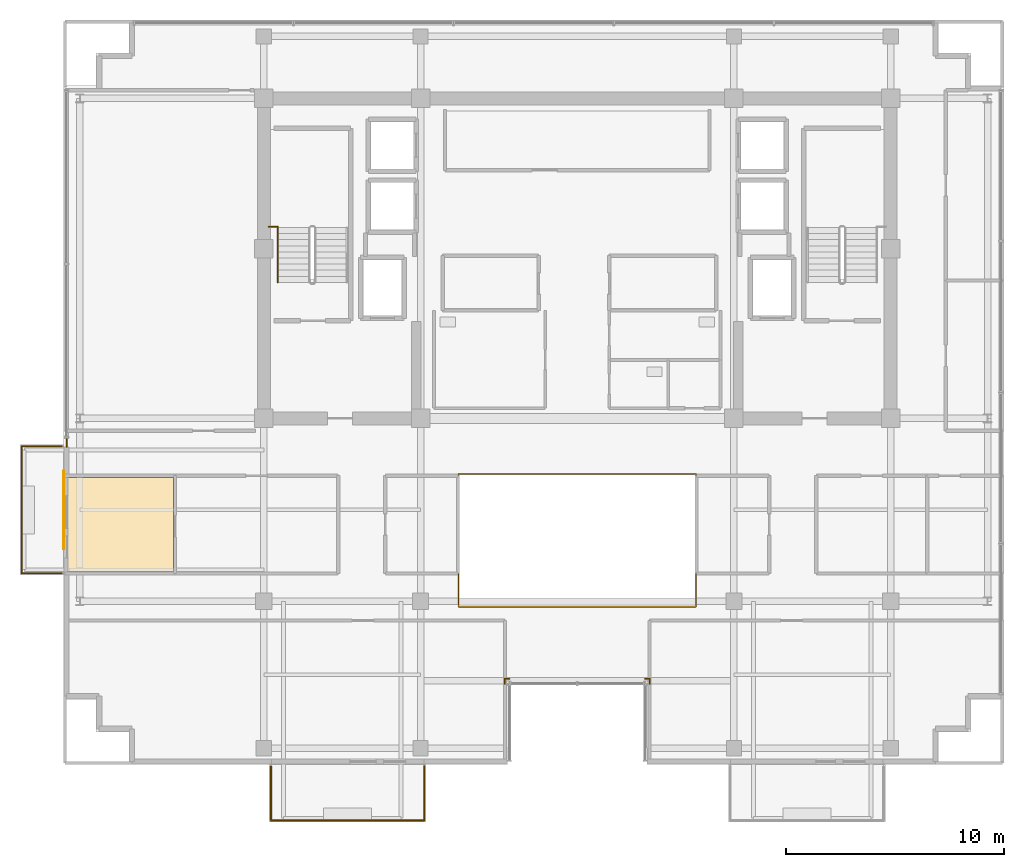
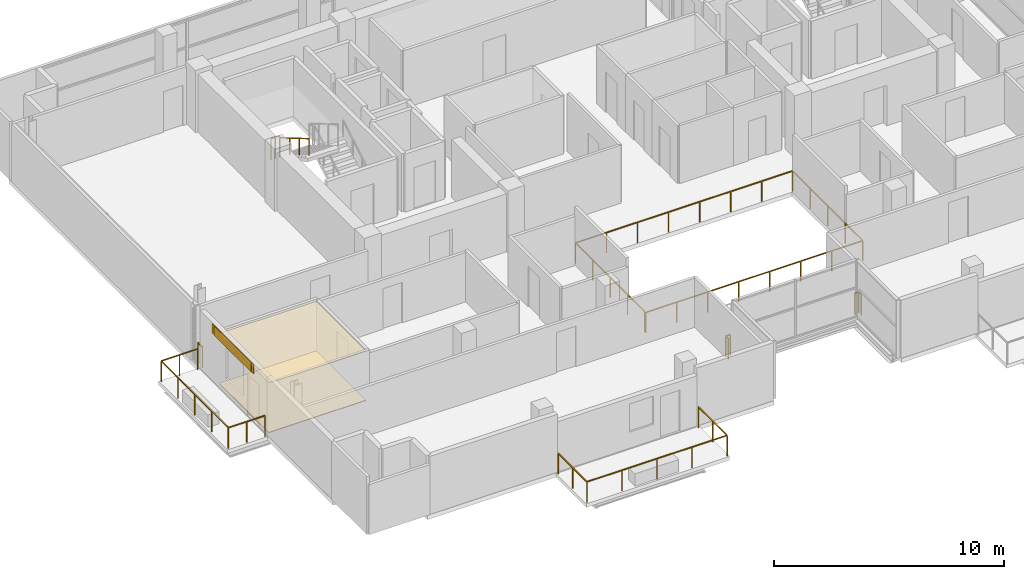
# One storey, part 19 of 22: 10 railings, 3 coverings, 1 shading device.
"""IFC4 building model written with IfcOpenShell, lengths in metres."""

import ifcopenshell
import ifcopenshell.guid

model = None  # the IFC model being written
_history = None  # IfcOwnerHistory: only IFC2X3 demands one
_inside = {}  # id of a spatial element -> (the spatial element, [elements in it])
_under = {}  # id of a project, library or spatial element -> (it, [spatial elements below it])
_declared = {}  # id of a project -> (the project, [libraries it declares])
_typed = {}  # id of a type object -> (the type object, [elements of that type])
_made_of = {}  # id of a material, layer set ... -> (it, [elements and type objects made of it])


def new_model(schema):
    """Start an empty IFC model of exactly this schema.

    Asked for "IFC4X3", IfcOpenShell would pick the latest addendum, in which some entities
    have other attributes; the version numbers below select the first issue.
    IFC2X3 requires an IfcOwnerHistory on every rooted entity: one is made here for all.
    """
    global model, _history
    if schema == "IFC4X3":
        model = ifcopenshell.file(schema_version=(4, 3, 0, 0))
    else:
        model = ifcopenshell.file(schema=schema)
    _inside.clear()
    _under.clear()
    _declared.clear()
    _typed.clear()
    _made_of.clear()
    _history = None
    if model.schema == "IFC2X3":
        org = make("IfcOrganization", Name="unknown")
        user = make(
            "IfcPersonAndOrganization",
            ThePerson=make("IfcPerson", FamilyName="unknown"),
            TheOrganization=org,
        )
        app = make(
            "IfcApplication",
            ApplicationDeveloper=org,
            Version="unknown",
            ApplicationFullName="unknown",
            ApplicationIdentifier="unknown",
        )
        _history = make(
            "IfcOwnerHistory",
            OwningUser=user,
            OwningApplication=app,
            ChangeAction="ADDED",
            CreationDate=0,
        )
    return model


def make(cls, **values):
    """One entity of the class cls with the attributes given. An attribute that is None is left unset."""
    return model.create_entity(
        cls, **{name: value for name, value in values.items() if value is not None}
    )


def rooted(cls, **values):
    """An entity with a GlobalId (a new one), such as an element, a storey or a relation."""
    return make(cls, GlobalId=ifcopenshell.guid.new(), OwnerHistory=_history, **values)


def si_unit(unit_type, name, prefix=None):
    """IfcSIUnit, for example si_unit("LENGTHUNIT", "METRE", prefix="MILLI")."""
    return make("IfcSIUnit", UnitType=unit_type, Prefix=prefix, Name=name)


def assignment(units):
    """IfcUnitAssignment: the units of a project."""
    return None if units is None else make("IfcUnitAssignment", Units=units)


def point(xyz):
    """IfcCartesianPoint."""
    return None if xyz is None else make("IfcCartesianPoint", Coordinates=xyz)


def direction(xyz):
    """IfcDirection."""
    return None if xyz is None else make("IfcDirection", DirectionRatios=xyz)


def frame(location, z_axis=None, x_axis=None):
    """IfcAxis2Placement3D, a coordinate frame: its origin and axes. An axis left out is left unset."""
    return make(
        "IfcAxis2Placement3D",
        Location=point(location),
        Axis=direction(z_axis),
        RefDirection=direction(x_axis),
    )


def frame_2d(location, x_axis=None):
    """IfcAxis2Placement2D, a coordinate frame in the plane: its origin and x axis."""
    return make(
        "IfcAxis2Placement2D", Location=point(location), RefDirection=direction(x_axis)
    )


def origin():
    """The frame at (0, 0, 0) with its axes left unset."""
    return frame((0.0, 0.0, 0.0))


def origin_2d():
    """The frame at (0, 0) in the plane with its x axis left unset."""
    return frame_2d((0.0, 0.0))


def place(relative_to, where):
    """IfcLocalPlacement: puts the frame where relative to a parent placement (None: the world)."""
    return make(
        "IfcLocalPlacement", PlacementRelTo=relative_to, RelativePlacement=where
    )


def context(
    kind, dimensions, precision=None, world=None, true_north=None, identifier=None
):
    """IfcGeometricRepresentationContext, for example the 3D "Model" context."""
    return make(
        "IfcGeometricRepresentationContext",
        ContextIdentifier=identifier,
        ContextType=kind,
        CoordinateSpaceDimension=dimensions,
        Precision=precision,
        WorldCoordinateSystem=world,
        TrueNorth=true_north,
    )


def subcontext(parent, identifier, kind, view, scale=None):
    """IfcGeometricRepresentationSubContext, for example "Body" below "Model"."""
    return make(
        "IfcGeometricRepresentationSubContext",
        ContextIdentifier=identifier,
        ContextType=kind,
        ParentContext=parent,
        TargetScale=scale,
        TargetView=view,
    )


def project(units=None, contexts=None):
    """IfcProject with its units and contexts."""
    return rooted(
        "IfcProject",
        Name="project",
        RepresentationContexts=contexts,
        UnitsInContext=assignment(units),
    )


def spatial(cls, under=None, at=None, **own):
    """A site, building, storey or space (cls), placed at a placement, below another one or the project."""
    s = rooted(cls, ObjectPlacement=at, **own)
    if under is not None:
        _under.setdefault(under.id(), (under, []))[1].append(s)
    return s


def polyline(points):
    """IfcPolyline through the points."""
    return make("IfcPolyline", Points=[point(p) for p in points])


def profile(cls, at=None, kind="AREA", **sizes):
    """A parametric profile (cls). Its sizes go by their IFC names, for example OverallWidth=200.0."""
    return make(cls, ProfileType=kind, Position=at, **sizes)


def rectangle(**sizes):
    """IfcRectangleProfileDef."""
    return profile("IfcRectangleProfileDef", **sizes)


def outline(outer, holes=None, kind="AREA"):
    """IfcArbitraryClosedProfileDef: a profile drawn as a closed curve; with holes, ...WithVoids."""
    if holes is None:
        return make("IfcArbitraryClosedProfileDef", ProfileType=kind, OuterCurve=outer)
    return make(
        "IfcArbitraryProfileDefWithVoids",
        ProfileType=kind,
        OuterCurve=outer,
        InnerCurves=holes,
    )


def extrude(swept, where, along, depth):
    """IfcExtrudedAreaSolid: the profile swept, set in the frame where, extruded along a direction by depth."""
    return make(
        "IfcExtrudedAreaSolid",
        SweptArea=swept,
        Position=where,
        ExtrudedDirection=direction(along),
        Depth=depth,
    )


def shape(context_of_items, identifier, shape_type, items):
    """IfcShapeRepresentation: the items that make up one representation, for example the "Body"."""
    return make(
        "IfcShapeRepresentation",
        ContextOfItems=context_of_items,
        RepresentationIdentifier=identifier,
        RepresentationType=shape_type,
        Items=items,
    )


def source(mapping_origin, context_of_items, identifier, shape_type, items):
    """IfcRepresentationMap: a shape defined once, which mapped items show again and again."""
    return make(
        "IfcRepresentationMap",
        MappingOrigin=mapping_origin,
        MappedRepresentation=shape(context_of_items, identifier, shape_type, items),
    )


def transform(
    local_origin,
    x_axis=None,
    y_axis=None,
    z_axis=None,
    scale=None,
    scale2=None,
    scale3=None,
    uniform=True,
):
    """IfcCartesianTransformationOperator3D, or its non-uniform kind. x_axis, y_axis, z_axis: its Axis1, 2, 3."""
    if uniform:
        return make(
            "IfcCartesianTransformationOperator3D",
            Axis1=direction(x_axis),
            Axis2=direction(y_axis),
            LocalOrigin=point(local_origin),
            Scale=scale,
            Axis3=direction(z_axis),
        )
    return make(
        "IfcCartesianTransformationOperator3DnonUniform",
        Axis1=direction(x_axis),
        Axis2=direction(y_axis),
        LocalOrigin=point(local_origin),
        Scale=scale,
        Axis3=direction(z_axis),
        Scale2=scale2,
        Scale3=scale3,
    )


def mapped(mapping_source, mapping_target):
    """IfcMappedItem: shows the shape of a source again, moved by a transform."""
    return make(
        "IfcMappedItem", MappingSource=mapping_source, MappingTarget=mapping_target
    )


def material(Name=None, Category=None):
    """IfcMaterial."""
    return make("IfcMaterial", Name=Name, Category=Category)


def layer(
    of_material, thickness, ventilated=None, Name=None, Category=None, Priority=None
):
    """IfcMaterialLayer: one layer of a wall or slab, of a material (None: an air gap)."""
    return make(
        "IfcMaterialLayer",
        Material=of_material,
        LayerThickness=thickness,
        IsVentilated=ventilated,
        Name=Name,
        Category=Category,
        Priority=Priority,
    )


def layer_set(layers, Name=None):
    """IfcMaterialLayerSet."""
    return make("IfcMaterialLayerSet", MaterialLayers=layers, LayerSetName=Name)


def made_of(thing, what):
    """Note that an element or type object is made of a material, layer set ...; save() writes the relation."""
    if what is not None:
        _made_of.setdefault(what.id(), (what, []))[1].append(thing)
    return thing


def type_object(cls, material=None, **own):
    """A type object (cls), such as IfcWallType, which elements share."""
    return made_of(rooted(cls, **own), material)


def element(
    cls,
    number,
    at=None,
    inside=None,
    cuts=None,
    type_object=None,
    material=None,
    context=None,
    identifier="Body",
    shape_type=None,
    held_by="IfcProductDefinitionShape",
    body=None,
    shapes=None,
    **own,
):
    """One element of the class cls, such as IfcWall. Its Tag is "e" and its number.

    at: its placement. inside: the storey or other place that contains it. cuts: it is an
    opening in that element (IfcRelVoidsElement). A single representation is given by context,
    identifier, shape_type and body (its items); several are given by shapes. held_by: the class
    of the entity that holds the representations. save() writes the other relations.
    """
    e = rooted(cls, Tag="e%d" % number, ObjectPlacement=at, **own)
    if body is not None:
        shapes = [shape(context, identifier, shape_type, body)]
    if shapes is not None:
        e.Representation = make(held_by, Representations=shapes)
    if inside is not None:
        _inside.setdefault(inside.id(), (inside, []))[1].append(e)
    if cuts is not None:
        rooted(
            "IfcRelVoidsElement", RelatingBuildingElement=cuts, RelatedOpeningElement=e
        )
    if type_object is not None:
        _typed.setdefault(type_object.id(), (type_object, []))[1].append(e)
    return made_of(e, material)


def aggregate(whole, parts):
    """IfcRelAggregates: a whole, such as a stair, and the parts it consists of."""
    return rooted("IfcRelAggregates", RelatingObject=whole, RelatedObjects=parts)


def save(model, path):
    """Write the relations noted so far, then the file.

    IfcRelAggregates (storeys below a building ...), IfcRelContainedInSpatialStructure (elements
    in a storey), IfcRelDefinesByType, IfcRelAssociatesMaterial and IfcRelDeclares: one each for
    every whole, place, type object, material and project.
    """
    for whole, parts in _under.values():
        aggregate(whole, parts)
    for where, things in _inside.values():
        rooted(
            "IfcRelContainedInSpatialStructure",
            RelatedElements=things,
            RelatingStructure=where,
        )
    for kind, things in _typed.values():
        rooted("IfcRelDefinesByType", RelatedObjects=things, RelatingType=kind)
    for what, things in _made_of.values():
        rooted("IfcRelAssociatesMaterial", RelatedObjects=things, RelatingMaterial=what)
    for by, libraries in _declared.values():
        rooted("IfcRelDeclares", RelatingContext=by, RelatedDefinitions=libraries)
    model.write(path)


model = new_model("IFC4")

# Units and contexts
model_context = context("Model", 3, precision=1e-05, world=origin(), true_north=direction((0.0, 1.0)))
body_context = subcontext(model_context, "Body", "Model", "MODEL_VIEW")
ifc_project = project(units=[si_unit("LENGTHUNIT", "METRE"), si_unit("AREAUNIT", "SQUARE_METRE"), si_unit("VOLUMEUNIT", "CUBIC_METRE"), si_unit("PLANEANGLEUNIT", "RADIAN"), si_unit("MASSUNIT", "GRAM", prefix="KILO")], contexts=[model_context])

# Site, building, storey
site_placement = place(None, origin())
site = spatial("IfcSite", under=ifc_project, at=site_placement, CompositionType="ELEMENT")
building_placement = place(site_placement, origin())
building = spatial("IfcBuilding", under=site, at=building_placement, Name="Zarnakvel Exchange Tower", CompositionType="ELEMENT")
storey_placement = place(building_placement, frame((0.0, 0.0, 215.5)))
storey = spatial("IfcBuildingStorey", under=building, at=storey_placement, Name="L60", CompositionType="ELEMENT", Elevation=215.5)

# Coverings
ifc_material_1 = material(Name="Perforated Bronze Acoustic Metal Ceiling", Category="aluminium")
ifc_layer_1 = layer(ifc_material_1, 0.02001953125)
ifc_layer_set_1 = layer_set([ifc_layer_1], Name="Perforated Bronze Acoustic Metal Ceiling")
covering_type_1 = type_object("IfcCoveringType", Name="CLG-01", PredefinedType="CEILING", material=ifc_layer_set_1)
covering_1_placement = place(storey_placement, frame((0.0, 0.0, 2.64501953125)))
element("IfcCovering", 1, at=covering_1_placement, inside=storey, type_object=covering_type_1, Name="L60 Suspended Acoustic Ceiling (Institutional Dealing Room)", PredefinedType="CEILING", context=body_context, shape_type="SweptSolid", body=[
    extrude(outline(polyline([(-23.449951171875, -3.909912109375), (-18.55810546875, -3.909912109375), (-18.55810546875, -8.239990234375), (-23.449951171875, -8.239990234375), (-23.449951171875, -3.909912109375)])), origin(), (0.0, 0.0, 1.0), 0.02001953125),
])
ifc_material_2 = material(Name="Heavy-Duty Raised Access Floor Panel", Category="steel")
ifc_layer_2 = layer(ifc_material_2, 0.034912109375)
ifc_layer_set_2 = layer_set([ifc_layer_2], Name="Heavy-Duty Raised Access Floor Panel")
covering_type_2 = type_object("IfcCoveringType", Name="FLR-02", PredefinedType="FLOORING", material=ifc_layer_set_2)
covering_2_placement = place(storey_placement, origin())
element("IfcCovering", 2, at=covering_2_placement, inside=storey, type_object=covering_type_2, Name="L60 Floor Finish (Institutional Dealing Room)", PredefinedType="FLOORING", context=body_context, shape_type="SweptSolid", body=[
    extrude(outline(polyline([(-23.449951171875, -3.909912109375), (-18.55810546875, -3.909912109375), (-18.55810546875, -8.239990234375), (-23.449951171875, -8.239990234375), (-23.449951171875, -3.909912109375)])), origin(), (0.0, 0.0, 1.0), 0.034912109375),
])

# Railings
ifc_material_3 = material(Name="Architectural Bronze Anodised Aluminium", Category="aluminium")
railing_type_1 = type_object("IfcRailingType", Name="GR-02", PredefinedType="GUARDRAIL", material=ifc_material_3)
railing_1_placement = place(storey_placement, frame((-14.070068359375, -17.179931640625, -0.034912109375)))
element("IfcRailing", 3, at=railing_1_placement, inside=storey, type_object=railing_type_1, Name="L60 Balcony Guardrail BAL-L60-SW", PredefinedType="GUARDRAIL", context=body_context, shape_type="SweptSolid", body=[
    extrude(rectangle(XDim=0.048095703125, YDim=0.048095703125, at=origin_2d()), frame((0.0, 0.0, 1.09619140625), z_axis=(0.0, -1.0, 0.0), x_axis=(1.0, 0.0, 0.0)), (0.0, 0.0, 1.0), 2.489990234375),
    extrude(rectangle(XDim=0.048095703125, YDim=0.048095703125, at=origin_2d()), frame((0.0, -2.489990234375, 1.09619140625), z_axis=(1.0, 0.0, 0.0), x_axis=(0.0, 1.0, 0.0)), (0.0, 0.0, 1.0), 7.0400390625),
    extrude(rectangle(XDim=0.048095703125, YDim=0.048095703125, at=origin_2d()), frame((7.0400390625, -2.489990234375, 1.09619140625), z_axis=(0.0, 1.0, 0.0), x_axis=(-1.0, 0.0, 0.0)), (0.0, 0.0, 1.0), 2.489990234375),
    extrude(rectangle(XDim=0.0419921875, YDim=0.0419921875, at=origin_2d()), origin(), (0.0, 0.0, 1.0), 1.072021484375),
    extrude(rectangle(XDim=0.0419921875, YDim=0.0419921875, at=origin_2d()), frame((0.0, -1.2451171875, 0.0)), (0.0, 0.0, 1.0), 1.072021484375),
    extrude(rectangle(XDim=0.0419921875, YDim=0.0419921875, at=origin_2d()), frame((0.0, -2.489990234375, 0.0)), (0.0, 0.0, 1.0), 1.072021484375),
    extrude(rectangle(XDim=0.0419921875, YDim=0.0419921875, at=origin_2d()), frame((1.760009765625, -2.489990234375, 0.0)), (0.0, 0.0, 1.0), 1.072021484375),
    extrude(rectangle(XDim=0.0419921875, YDim=0.0419921875, at=origin_2d()), frame((3.52001953125, -2.489990234375, 0.0)), (0.0, 0.0, 1.0), 1.072021484375),
    extrude(rectangle(XDim=0.0419921875, YDim=0.0419921875, at=origin_2d()), frame((5.280029296875, -2.489990234375, 0.0)), (0.0, 0.0, 1.0), 1.072021484375),
    extrude(rectangle(XDim=0.0419921875, YDim=0.0419921875, at=origin_2d()), frame((7.0400390625, -2.489990234375, 0.0)), (0.0, 0.0, 1.0), 1.072021484375),
    extrude(rectangle(XDim=0.0419921875, YDim=0.0419921875, at=origin_2d()), frame((7.0400390625, -1.2451171875, 0.0)), (0.0, 0.0, 1.0), 1.072021484375),
    extrude(rectangle(XDim=0.0419921875, YDim=0.0419921875, at=origin_2d()), frame((7.0400390625, 0.0, 0.0)), (0.0, 0.0, 1.0), 1.072021484375),
])
railing_2_placement = place(storey_placement, frame((-23.679931640625, -8.320068359375, -0.034912109375)))
element("IfcRailing", 4, at=railing_2_placement, inside=storey, type_object=railing_type_1, Name="L60 Balcony Guardrail BAL-L60-W", PredefinedType="GUARDRAIL", context=body_context, shape_type="SweptSolid", body=[
    extrude(rectangle(XDim=0.048095703125, YDim=0.048095703125, at=origin_2d()), frame((0.0, 0.0, 1.09619140625), z_axis=(-1.0, 0.0, 0.0), x_axis=(0.0, -1.0, 0.0)), (0.0, 0.0, 1.0), 1.840087890625),
    extrude(rectangle(XDim=0.048095703125, YDim=0.048095703125, at=origin_2d()), frame((-1.840087890625, 0.0, 1.09619140625), z_axis=(0.0, 1.0, 0.0), x_axis=(-1.0, 0.0, 0.0)), (0.0, 0.0, 1.0), 5.840087890625),
    extrude(rectangle(XDim=0.048095703125, YDim=0.048095703125, at=origin_2d()), frame((-1.840087890625, 5.840087890625, 1.09619140625), z_axis=(1.0, 0.0, 0.0), x_axis=(0.0, 1.0, 0.0)), (0.0, 0.0, 1.0), 1.840087890625),
    extrude(rectangle(XDim=0.0419921875, YDim=0.0419921875, at=origin_2d()), origin(), (0.0, 0.0, 1.0), 1.072021484375),
    extrude(rectangle(XDim=0.0419921875, YDim=0.0419921875, at=origin_2d()), frame((-0.919921875, 0.0, 0.0)), (0.0, 0.0, 1.0), 1.072021484375),
    extrude(rectangle(XDim=0.0419921875, YDim=0.0419921875, at=origin_2d()), frame((-1.840087890625, 0.0, 0.0)), (0.0, 0.0, 1.0), 1.072021484375),
    extrude(rectangle(XDim=0.0419921875, YDim=0.0419921875, at=origin_2d()), frame((-1.840087890625, 1.4599609375, 0.0)), (0.0, 0.0, 1.0), 1.072021484375),
    extrude(rectangle(XDim=0.0419921875, YDim=0.0419921875, at=origin_2d()), frame((-1.840087890625, 2.919921875, 0.0)), (0.0, 0.0, 1.0), 1.072021484375),
    extrude(rectangle(XDim=0.0419921875, YDim=0.0419921875, at=origin_2d()), frame((-1.840087890625, 4.380126953125, 0.0)), (0.0, 0.0, 1.0), 1.072021484375),
    extrude(rectangle(XDim=0.0419921875, YDim=0.0419921875, at=origin_2d()), frame((-1.840087890625, 5.840087890625, 0.0)), (0.0, 0.0, 1.0), 1.072021484375),
    extrude(rectangle(XDim=0.0419921875, YDim=0.0419921875, at=origin_2d()), frame((-0.919921875, 5.840087890625, 0.0)), (0.0, 0.0, 1.0), 1.072021484375),
    extrude(rectangle(XDim=0.0419921875, YDim=0.0419921875, at=origin_2d()), frame((0.0, 5.840087890625, 0.0)), (0.0, 0.0, 1.0), 1.072021484375),
])
railing_3_placement = place(storey_placement, frame((-23.4599609375, -2.5, 0.0)))
element("IfcRailing", 5, at=railing_3_placement, inside=storey, type_object=railing_type_1, Name="L60 Corner Spandrel Balustrade #2", PredefinedType="GUARDRAIL", context=body_context, shape_type="SweptSolid", body=[
    extrude(rectangle(XDim=0.048095703125, YDim=0.048095703125, at=origin_2d()), frame((0.0, 0.0, 1.09619140625), z_axis=(0.0, 1.0, 0.0), x_axis=(-1.0, 0.0, 0.0)), (0.0, 0.0, 1.0), 0.39990234375),
    extrude(rectangle(XDim=0.0419921875, YDim=0.0419921875, at=origin_2d()), origin(), (0.0, 0.0, 1.0), 1.072021484375),
    extrude(rectangle(XDim=0.0419921875, YDim=0.0419921875, at=origin_2d()), frame((0.0, 0.39990234375, 0.0)), (0.0, 0.0, 1.0), 1.072021484375),
])
railing_4_placement = place(storey_placement, frame((3.340087890625, -13.3798828125, 0.0)))
element("IfcRailing", 6, at=railing_4_placement, inside=storey, type_object=railing_type_1, Name="L60 Corner Spandrel Balustrade #17", PredefinedType="GUARDRAIL", context=body_context, shape_type="SweptSolid", body=[
    extrude(rectangle(XDim=0.048095703125, YDim=0.048095703125, at=origin_2d()), frame((0.0, 0.0, 1.09619140625), z_axis=(0.0, 1.0, 0.0), x_axis=(-1.0, 0.0, 0.0)), (0.0, 0.0, 1.0), 0.219970703125),
    extrude(rectangle(XDim=0.0419921875, YDim=0.0419921875, at=origin_2d()), origin(), (0.0, 0.0, 1.0), 1.072021484375),
    extrude(rectangle(XDim=0.0419921875, YDim=0.0419921875, at=origin_2d()), frame((0.0, 0.219970703125, 0.0)), (0.0, 0.0, 1.0), 1.072021484375),
])
for number, where, name in (
    (7, (3.340087890625, -13.159912109375, 0.0), "L60 Corner Spandrel Balustrade #18"),
    (8, (-3.1201171875, -13.159912109375, 0.0), "L60 Corner Spandrel Balustrade #19"),
):
    element("IfcRailing", number, at=place(storey_placement, frame(where)), inside=storey, type_object=railing_type_1, Name=name, PredefinedType="GUARDRAIL", context=body_context, shape_type="SweptSolid", body=[
        extrude(rectangle(XDim=0.048095703125, YDim=0.048095703125, at=origin_2d()), frame((0.0, 0.0, 1.09619140625), z_axis=(-1.0, 0.0, 0.0), x_axis=(0.0, -1.0, 0.0)), (0.0, 0.0, 1.0), 0.219970703125),
        extrude(rectangle(XDim=0.0419921875, YDim=0.0419921875, at=origin_2d()), origin(), (0.0, 0.0, 1.0), 1.072021484375),
        extrude(rectangle(XDim=0.0419921875, YDim=0.0419921875, at=origin_2d()), frame((-0.219970703125, 0.0, 0.0)), (0.0, 0.0, 1.0), 1.072021484375),
    ])
railing_5_placement = place(storey_placement, frame((-3.340087890625, -13.159912109375, 0.0)))
element("IfcRailing", 9, at=railing_5_placement, inside=storey, type_object=railing_type_1, Name="L60 Corner Spandrel Balustrade #20", PredefinedType="GUARDRAIL", context=body_context, shape_type="SweptSolid", body=[
    extrude(rectangle(XDim=0.048095703125, YDim=0.048095703125, at=origin_2d()), frame((0.0, 0.0, 1.09619140625), z_axis=(0.0, -1.0, 0.0), x_axis=(1.0, 0.0, 0.0)), (0.0, 0.0, 1.0), 0.219970703125),
    extrude(rectangle(XDim=0.0419921875, YDim=0.0419921875, at=origin_2d()), origin(), (0.0, 0.0, 1.0), 1.072021484375),
    extrude(rectangle(XDim=0.0419921875, YDim=0.0419921875, at=origin_2d()), frame((0.0, -0.219970703125, 0.0)), (0.0, 0.0, 1.0), 1.072021484375),
])
railing_type_2 = type_object("IfcRailingType", Name="GR-03", PredefinedType="GUARDRAIL", material=ifc_material_3)
railing_6_placement = place(storey_placement, frame((-5.449951171875, -9.85009765625, 0.0)))
element("IfcRailing", 10, at=railing_6_placement, inside=storey, type_object=railing_type_2, Name="L60 Atrium Void Perimeter Balustrade", PredefinedType="GUARDRAIL", context=body_context, shape_type="SweptSolid", body=[
    extrude(rectangle(XDim=0.048095703125, YDim=0.048095703125, at=origin_2d()), frame((0.0, 0.0, 1.076171875), z_axis=(1.0, 0.0, 0.0), x_axis=(0.0, 1.0, 0.0)), (0.0, 0.0, 1.0), 10.89990234375),
    extrude(rectangle(XDim=0.048095703125, YDim=0.048095703125, at=origin_2d()), frame((10.89990234375, 0.0, 1.076171875), z_axis=(0.0, 1.0, 0.0), x_axis=(-1.0, 0.0, 0.0)), (0.0, 0.0, 1.0), 6.10009765625),
    extrude(rectangle(XDim=0.048095703125, YDim=0.048095703125, at=origin_2d()), frame((10.89990234375, 6.10009765625, 1.076171875), z_axis=(-1.0, 0.0, 0.0), x_axis=(0.0, -1.0, 0.0)), (0.0, 0.0, 1.0), 10.89990234375),
    extrude(rectangle(XDim=0.048095703125, YDim=0.048095703125, at=origin_2d()), frame((0.0, 6.10009765625, 1.076171875), z_axis=(0.0, -1.0, 0.0), x_axis=(1.0, 0.0, 0.0)), (0.0, 0.0, 1.0), 6.02001953125),
    extrude(rectangle(XDim=0.0419921875, YDim=0.0419921875, at=origin_2d()), origin(), (0.0, 0.0, 1.0), 1.052001953125),
    extrude(rectangle(XDim=0.0419921875, YDim=0.0419921875, at=origin_2d()), frame((1.55712890625, 0.0, 0.0)), (0.0, 0.0, 1.0), 1.052001953125),
    extrude(rectangle(XDim=0.0419921875, YDim=0.0419921875, at=origin_2d()), frame((3.1142578125, 0.0, 0.0)), (0.0, 0.0, 1.0), 1.052001953125),
    extrude(rectangle(XDim=0.0419921875, YDim=0.0419921875, at=origin_2d()), frame((4.67138671875, 0.0, 0.0)), (0.0, 0.0, 1.0), 1.052001953125),
    extrude(rectangle(XDim=0.0419921875, YDim=0.0419921875, at=origin_2d()), frame((6.228515625, 0.0, 0.0)), (0.0, 0.0, 1.0), 1.052001953125),
    extrude(rectangle(XDim=0.0419921875, YDim=0.0419921875, at=origin_2d()), frame((7.78564453125, 0.0, 0.0)), (0.0, 0.0, 1.0), 1.052001953125),
    extrude(rectangle(XDim=0.0419921875, YDim=0.0419921875, at=origin_2d()), frame((9.3427734375, 0.0, 0.0)), (0.0, 0.0, 1.0), 1.052001953125),
    extrude(rectangle(XDim=0.0419921875, YDim=0.0419921875, at=origin_2d()), frame((10.89990234375, 0.0, 0.0)), (0.0, 0.0, 1.0), 1.052001953125),
    extrude(rectangle(XDim=0.0419921875, YDim=0.0419921875, at=origin_2d()), frame((10.89990234375, 1.52490234375, 0.0)), (0.0, 0.0, 1.0), 1.052001953125),
    extrude(rectangle(XDim=0.0419921875, YDim=0.0419921875, at=origin_2d()), frame((10.89990234375, 3.050048828125, 0.0)), (0.0, 0.0, 1.0), 1.052001953125),
    extrude(rectangle(XDim=0.0419921875, YDim=0.0419921875, at=origin_2d()), frame((10.89990234375, 4.5751953125, 0.0)), (0.0, 0.0, 1.0), 1.052001953125),
    extrude(rectangle(XDim=0.0419921875, YDim=0.0419921875, at=origin_2d()), frame((10.89990234375, 6.10009765625, 0.0)), (0.0, 0.0, 1.0), 1.052001953125),
    extrude(rectangle(XDim=0.0419921875, YDim=0.0419921875, at=origin_2d()), frame((9.3427734375, 6.10009765625, 0.0)), (0.0, 0.0, 1.0), 1.052001953125),
    extrude(rectangle(XDim=0.0419921875, YDim=0.0419921875, at=origin_2d()), frame((7.78564453125, 6.10009765625, 0.0)), (0.0, 0.0, 1.0), 1.052001953125),
    extrude(rectangle(XDim=0.0419921875, YDim=0.0419921875, at=origin_2d()), frame((6.228515625, 6.10009765625, 0.0)), (0.0, 0.0, 1.0), 1.052001953125),
    extrude(rectangle(XDim=0.0419921875, YDim=0.0419921875, at=origin_2d()), frame((4.67138671875, 6.10009765625, 0.0)), (0.0, 0.0, 1.0), 1.052001953125),
    extrude(rectangle(XDim=0.0419921875, YDim=0.0419921875, at=origin_2d()), frame((3.1142578125, 6.10009765625, 0.0)), (0.0, 0.0, 1.0), 1.052001953125),
    extrude(rectangle(XDim=0.0419921875, YDim=0.0419921875, at=origin_2d()), frame((1.55712890625, 6.10009765625, 0.0)), (0.0, 0.0, 1.0), 1.052001953125),
    extrude(rectangle(XDim=0.0419921875, YDim=0.0419921875, at=origin_2d()), frame((0.0, 6.10009765625, 0.0)), (0.0, 0.0, 1.0), 1.052001953125),
    extrude(rectangle(XDim=0.0419921875, YDim=0.0419921875, at=origin_2d()), frame((0.0, 4.59521484375, 0.0)), (0.0, 0.0, 1.0), 1.052001953125),
    extrude(rectangle(XDim=0.0419921875, YDim=0.0419921875, at=origin_2d()), frame((0.0, 3.090087890625, 0.0)), (0.0, 0.0, 1.0), 1.052001953125),
    extrude(rectangle(XDim=0.0419921875, YDim=0.0419921875, at=origin_2d()), frame((0.0, 1.5849609375, 0.0)), (0.0, 0.0, 1.0), 1.052001953125),
    extrude(rectangle(XDim=0.0419921875, YDim=0.0419921875, at=origin_2d()), frame((0.0, 0.080078125, 0.0)), (0.0, 0.0, 1.0), 1.052001953125),
])
ifc_material_4 = material(Name="Brushed Stainless Steel", Category="steel")
railing_type_3 = type_object("IfcRailingType", Name="HR-01", PredefinedType="HANDRAIL", material=ifc_material_4)
railing_7_placement = place(storey_placement, frame((-13.75, 7.570068359375, 1.81494140625)))
element("IfcRailing", 11, at=railing_7_placement, inside=storey, type_object=railing_type_3, Name="L60 ST-01 stair handrail 2", PredefinedType="HANDRAIL", context=body_context, shape_type="SweptSolid", body=[
    extrude(rectangle(XDim=0.048095703125, YDim=0.048095703125, at=origin_2d()), frame((0.0, 0.0, 0.8759765625), z_axis=(0.0, -0.86152411907, 0.507716645641), x_axis=(1.0, 0.0, 0.0)), (0.0, 0.0, 1.0), 2.925048828125),
    extrude(rectangle(XDim=0.0419921875, YDim=0.0419921875, at=origin_2d()), origin(), (0.0, 0.0, 1.0), 0.851806640625),
    extrude(rectangle(XDim=0.0419921875, YDim=0.0419921875, at=origin_2d()), frame((0.0, -0.840087890625, 0.4951171875)), (0.0, 0.0, 1.0), 0.851806640625),
    extrude(rectangle(XDim=0.0419921875, YDim=0.0419921875, at=origin_2d()), frame((0.0, -1.679931640625, 0.989990234375)), (0.0, 0.0, 1.0), 0.851806640625),
    extrude(rectangle(XDim=0.0419921875, YDim=0.0419921875, at=origin_2d()), frame((0.0, -2.52001953125, 1.485107421875)), (0.0, 0.0, 1.0), 0.851806640625),
])
railing_type_4 = type_object("IfcRailingType", Name="SG-01", PredefinedType="GUARDRAIL", material=ifc_material_3)
railing_8_placement = place(storey_placement, frame((-14.179931640625, 7.610107421875, 1.64990234375)))
element("IfcRailing", 12, at=railing_8_placement, inside=storey, type_object=railing_type_4, Name="L60 ST-01 Landing Slot Guardrail", PredefinedType="GUARDRAIL", context=body_context, shape_type="SweptSolid", body=[
    extrude(rectangle(XDim=0.048095703125, YDim=0.048095703125, at=origin_2d()), frame((0.0, 0.0, 1.1259765625), z_axis=(1.0, 0.0, 0.0), x_axis=(0.0, 1.0, 0.0)), (0.0, 0.0, 1.0), 0.429931640625),
    extrude(rectangle(XDim=0.0419921875, YDim=0.0419921875, at=origin_2d()), origin(), (0.0, 0.0, 1.0), 1.101806640625),
    extrude(rectangle(XDim=0.0419921875, YDim=0.0419921875, at=origin_2d()), frame((0.21484375, 0.0, 0.0)), (0.0, 0.0, 1.0), 1.101806640625),
    extrude(rectangle(XDim=0.0419921875, YDim=0.0419921875, at=origin_2d()), frame((0.429931640625, 0.0, 0.0)), (0.0, 0.0, 1.0), 1.101806640625),
])

# Shading device
ifc_material_5 = material(Name="Perforated Architectural Bronze Screen", Category="aluminium")
ifc_layer_3 = layer(ifc_material_5, 0.044921875)
ifc_layer_set_3 = layer_set([ifc_layer_3], Name="Perforated Architectural Bronze Screen")
shading_device_type = type_object("IfcShadingDeviceType", Name="SS-01", PredefinedType="JALOUSIE", material=ifc_layer_set_3)
shared_shape_1 = source(origin(), body_context, "Body", "SweptSolid", [
    extrude(rectangle(XDim=3.199951171875, YDim=0.044921875, at=origin_2d()), origin(), (0.0, 0.0, 1.0), 0.4951171875),
])
shading_device_placement = place(storey_placement, frame((-23.6005859375, -5.39990234375, 2.56005859375), z_axis=(0.0, 0.0, 1.0), x_axis=(0.0, 1.0, 0.0)))
element("IfcShadingDevice", 13, at=shading_device_placement, inside=storey, type_object=shading_device_type, Name="L60 Bronze Solar Shading Screen SS-01", PredefinedType="JALOUSIE", context=body_context, shape_type="MappedRepresentation", body=[
    mapped(shared_shape_1, transform((0.0, 0.0, 0.0), x_axis=(1.0, 0.0, 0.0), y_axis=(0.0, 1.0, 0.0), z_axis=(0.0, 0.0, 1.0), scale=1.0)),
])

# Covering
ifc_material_6 = material(Name="Glazed Turquoise Ceramic Architectural Tile", Category="ceramic")
ifc_layer_4 = layer(ifc_material_6, 0.028076171875)
ifc_layer_set_4 = layer_set([ifc_layer_4], Name="Glazed Turquoise Ceramic Architectural Tile")
covering_type_3 = type_object("IfcCoveringType", Name="CL-01", PredefinedType="CLADDING", material=ifc_layer_set_4)
shared_shape_2 = source(origin(), body_context, "Body", "SweptSolid", [
    extrude(rectangle(XDim=3.60009765625, YDim=0.028076171875, at=origin_2d()), origin(), (0.0, 0.0, 1.0), 0.4951171875),
])
covering_3_placement = place(storey_placement, frame((-23.592041015625, -5.39990234375, 2.56005859375), z_axis=(0.0, 0.0, 1.0), x_axis=(0.0, 1.0, 0.0)))
element("IfcCovering", 14, at=covering_3_placement, inside=storey, type_object=covering_type_3, Name="L60 Ceramic Spandrel Tilework CL-01", PredefinedType="CLADDING", context=body_context, shape_type="MappedRepresentation", body=[
    mapped(shared_shape_2, transform((0.0, 0.0, 0.0), x_axis=(1.0, 0.0, 0.0), y_axis=(0.0, 1.0, 0.0), z_axis=(0.0, 0.0, 1.0), scale=1.0)),
])

save(model, "model.ifc")
